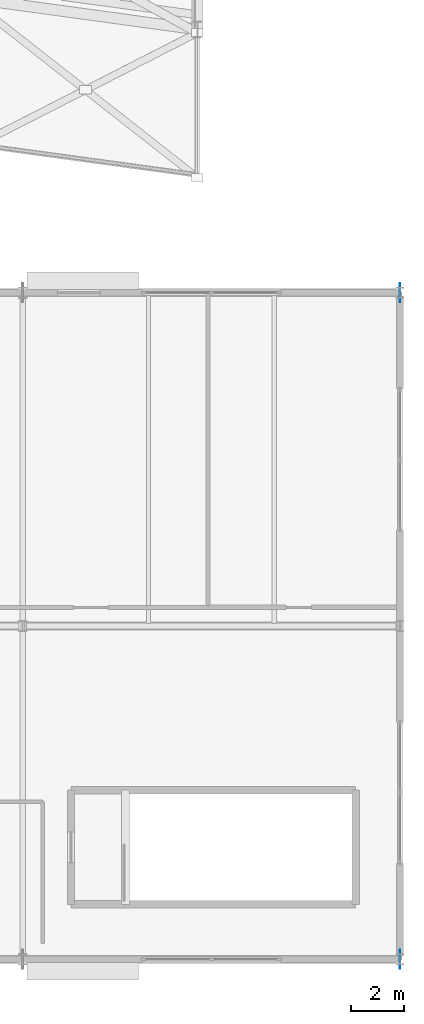
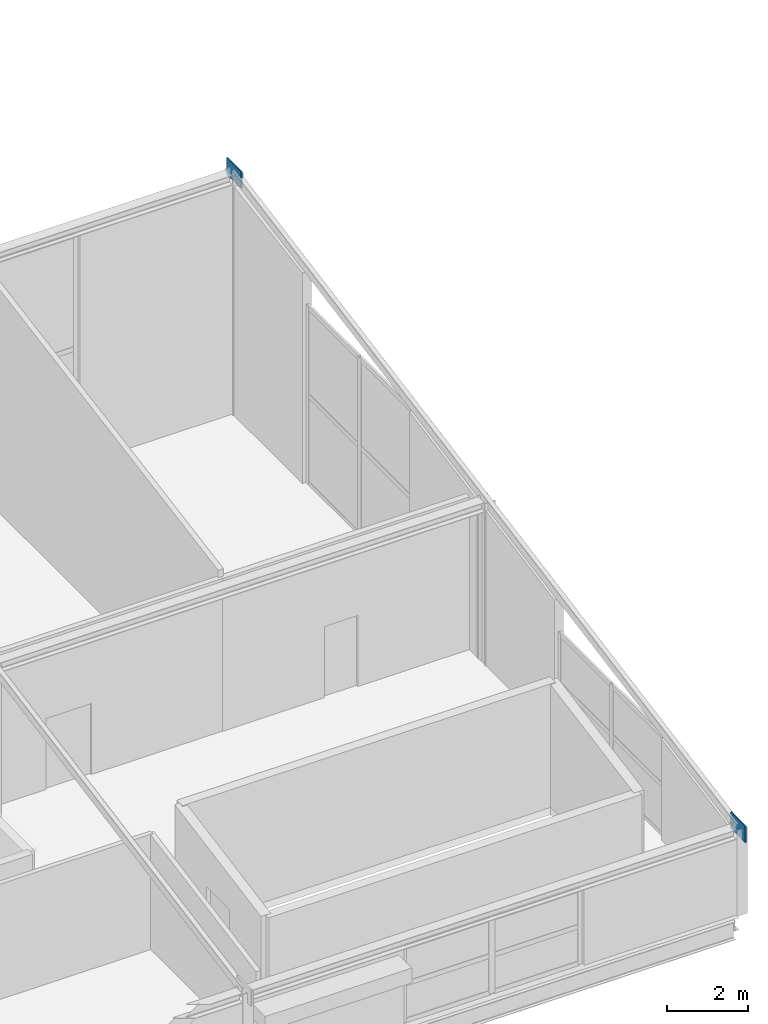
# One storey, part 80 of 100: 2 plates.
"""IFC4 building model written with IfcOpenShell, lengths in metres."""

from ifc_helpers import new_model, si_unit, direction, frame, origin, origin_2d, place, context, subcontext, project, spatial, rectangle, extrude, material, layer, layer_set, type_object, element, save


model = new_model("IFC4")

# Units and contexts
model_context = context("Model", 3, precision=1e-05, world=origin(), true_north=direction((0.0, 1.0)))
body_context = subcontext(model_context, "Body", "Model", "MODEL_VIEW")
ifc_project = project(units=[si_unit("LENGTHUNIT", "METRE"), si_unit("AREAUNIT", "SQUARE_METRE"), si_unit("VOLUMEUNIT", "CUBIC_METRE"), si_unit("PLANEANGLEUNIT", "RADIAN"), si_unit("MASSUNIT", "GRAM", prefix="KILO")], contexts=[model_context])

# Site, building, storey
site_placement = place(None, origin())
site = spatial("IfcSite", under=ifc_project, at=site_placement, CompositionType="ELEMENT")
building_placement = place(site_placement, origin())
building = spatial("IfcBuilding", under=site, at=building_placement, Name="Kimbaza Rail Terminus", CompositionType="ELEMENT")
storey_placement = place(building_placement, frame((0.0, 0.0, 10.800048828125)))
storey = spatial("IfcBuildingStorey", under=building, at=storey_placement, Name="L02", CompositionType="ELEMENT", Elevation=10.800048828125)

# Plates
ifc_material = material(Name="Steel S355", Category="steel")
ifc_layer = layer(ifc_material, 0.034912109375)
ifc_layer_set = layer_set([ifc_layer], Name="Steel S355")
plate_type = type_object("IfcPlateType", Name="STR-PL-WT01", PredefinedType="USERDEFINED", material=ifc_layer_set)
for number, where, z_axis, x_axis, name in (
    (1, (214.0, 13.0, 2.280029296875), (0.0, 0.0, 1.0), (1.0, 0.0, 0.0), "Pavilion Rafter Strut End Gusset GP-01 4-S"),
    (2, (214.0, 38.0, 6.929931640625), (0.0, 0.0, 1.0), (1.0, 0.0, 0.0), "Pavilion Rafter Strut End Gusset GP-01 4-N"),
):
    element("IfcPlate", number, at=place(storey_placement, frame(where, z_axis=z_axis, x_axis=x_axis)), inside=storey, type_object=plate_type, Name=name, ObjectType="GUSSET PLATE", PredefinedType="USERDEFINED", context=body_context, shape_type="SweptSolid", body=[
        extrude(rectangle(XDim=0.034912109375, YDim=0.719970703125, at=origin_2d()), origin(), (0.0, 0.0, 1.0), 0.5),
    ])

save(model, "model.ifc")
